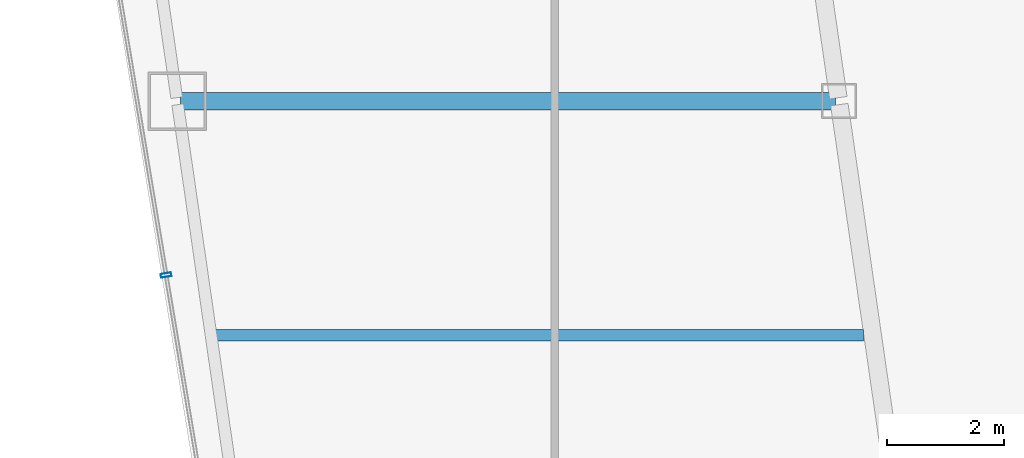
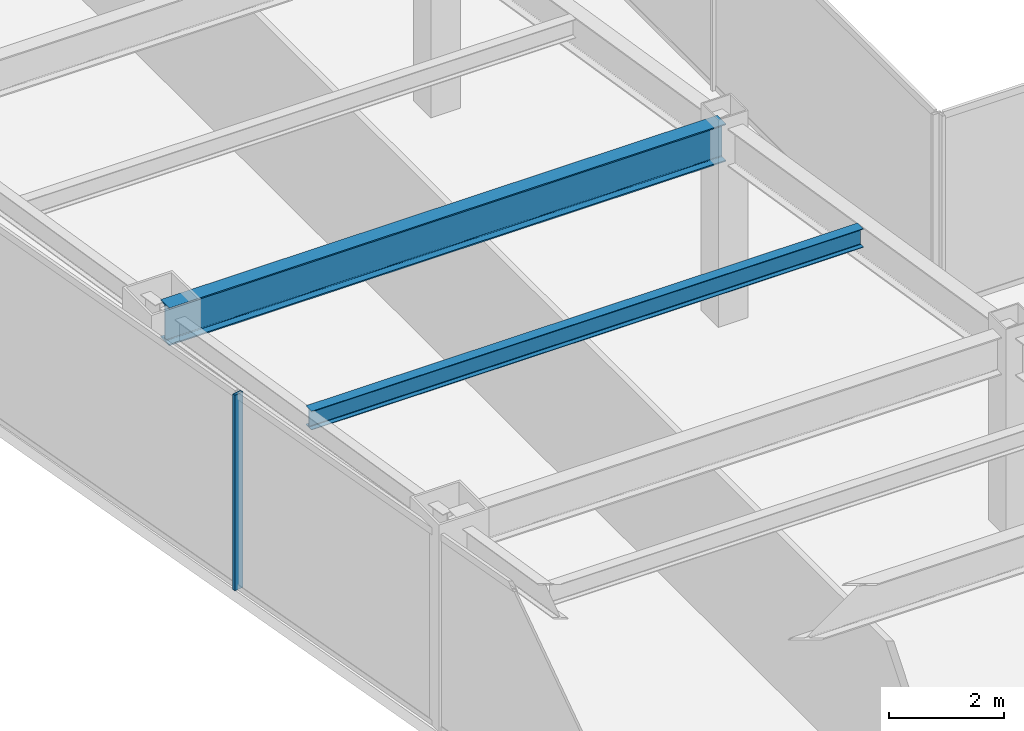
# One storey, part 4 of 35: 2 beams, 1 member, 1 element without a shape of its own.
"""IFC4 building model written with IfcOpenShell, lengths in metres."""

from ifc_helpers import new_model, si_unit, direction, frame, origin, origin_2d, place, context, subcontext, project, spatial, hollow_rectangle, i_section, extrude, material, material_profile, profile_set, type_object, element, aggregate, save


model = new_model("IFC4")

# Units and contexts
model_context = context("Model", 3, precision=1e-05, world=origin(), true_north=direction((0.0, 1.0)))
body_context = subcontext(model_context, "Body", "Model", "MODEL_VIEW")
ifc_project = project(units=[si_unit("LENGTHUNIT", "METRE"), si_unit("AREAUNIT", "SQUARE_METRE"), si_unit("VOLUMEUNIT", "CUBIC_METRE"), si_unit("PLANEANGLEUNIT", "RADIAN"), si_unit("MASSUNIT", "GRAM", prefix="KILO")], contexts=[model_context])

# Site, building, storey
site_placement = place(None, origin())
site = spatial("IfcSite", under=ifc_project, at=site_placement, CompositionType="ELEMENT")
building_placement = place(site_placement, origin())
building = spatial("IfcBuilding", under=site, at=building_placement, Name="Saevonmaru Cultural Tower", CompositionType="ELEMENT")
storey_placement = place(building_placement, frame((0.0, 0.0, 101.60009765625)))
storey = spatial("IfcBuildingStorey", under=building, at=storey_placement, Name="L21", CompositionType="ELEMENT", Elevation=101.60009765625)

# Beams
ifc_material_1 = material(Name="Steel SM420", Category="steel")
ifc_material_profile_1 = material_profile(ifc_material_1, i_section(OverallWidth=0.300048828125, OverallDepth=0.800048828125, WebThickness=0.013916015625, FlangeThickness=0.02587890625, FilletRadius=0.028076171875, at=origin_2d()), Name="H-800x300x14x26")
ifc_profile_set_1 = profile_set([ifc_material_profile_1], Name="Steel SM420")
beam_type_1 = type_object("IfcBeamType", Name="BM-G-H800", PredefinedType="BEAM", material=ifc_profile_set_1)
beam_1_placement = place(storey_placement, frame((9.531982421875, 24.0, 3.75), z_axis=(1.0, 0.0, 0.0), x_axis=(0.0, 1.0, 0.0)))
element("IfcBeam", 1, at=beam_1_placement, inside=storey, type_object=beam_type_1, Name="L21 West Wing Transverse Girder 3", PredefinedType="BEAM", context=body_context, shape_type="SweptSolid", body=[
    extrude(i_section(OverallWidth=0.300048828125, OverallDepth=0.800048828125, WebThickness=0.013916015625, FlangeThickness=0.02587890625, FilletRadius=0.028076171875, at=origin_2d()), origin(), (0.0, 0.0, 1.0), 11.179931640625),
])
ifc_material_2 = material(Name="Steel SM355", Category="steel")
ifc_material_profile_2 = material_profile(ifc_material_2, i_section(OverallWidth=0.199951171875, OverallDepth=0.39990234375, WebThickness=0.008056640625, FlangeThickness=0.012939453125, FilletRadius=0.01611328125, at=origin_2d()), Name="H-400x200x8x13")
ifc_profile_set_2 = profile_set([ifc_material_profile_2], Name="Steel SM355")
beam_type_2 = type_object("IfcBeamType", Name="BM-J-H400", PredefinedType="JOIST", material=ifc_profile_set_2)
beam_2_placement = place(storey_placement, frame((10.110107421875, 20.0, 3.949951171875), z_axis=(1.0, 0.0, 0.0), x_axis=(0.0, 1.0, 0.0)))
element("IfcBeam", 2, at=beam_2_placement, inside=storey, type_object=beam_type_2, Name="L21 West Wing Floor Joist 2", PredefinedType="JOIST", context=body_context, shape_type="SweptSolid", body=[
    extrude(i_section(OverallWidth=0.199951171875, OverallDepth=0.39990234375, WebThickness=0.008056640625, FlangeThickness=0.012939453125, FilletRadius=0.01611328125, at=origin_2d()), origin(), (0.0, 0.0, 1.0), 11.081787109375),
])

# Curtain wall, member
ifc_material_3 = material(Name="Satin Bronze Anodised Aluminium", Category="aluminium")
curtain_wall_type = type_object("IfcCurtainWallType", Name="CW-TYP-A", PredefinedType="NOTDEFINED", material=ifc_material_3)
curtain_wall_placement = place(storey_placement, origin())
curtain_wall = element("IfcCurtainWall", 3, at=curtain_wall_placement, inside=storey, type_object=curtain_wall_type, Name="L21 Unitised Curtain Wall E12", PredefinedType="NOTDEFINED")
ifc_material_profile_3 = material_profile(ifc_material_3, hollow_rectangle(XDim=0.06494140625, YDim=0.179931640625, WallThickness=0.00390625, at=origin_2d()), Name="ALU-MULL-180x65x4")
ifc_profile_set_3 = profile_set([ifc_material_profile_3], Name="Satin Bronze Anodised Aluminium")
member_type = type_object("IfcMemberType", Name="ML-CW-180x65", PredefinedType="MULLION", material=ifc_profile_set_3)
member_placement = place(storey_placement, frame((9.28173828125, 21.029541015625, 0.0), z_axis=(0.0, 0.0, 1.0), x_axis=(0.163998702345, -0.986460554523, 0.0)))
member = element("IfcMember", 4, at=member_placement, type_object=member_type, Name="CW-TW-L21-E12 mullion 4", PredefinedType="MULLION", context=body_context, shape_type="SweptSolid", body=[
    extrude(hollow_rectangle(XDim=0.06494140625, YDim=0.179931640625, WallThickness=0.00390625, at=origin_2d()), origin(), (0.0, 0.0, 1.0), 4.14990234375),
])
aggregate(curtain_wall, [member])

save(model, "model.ifc")
